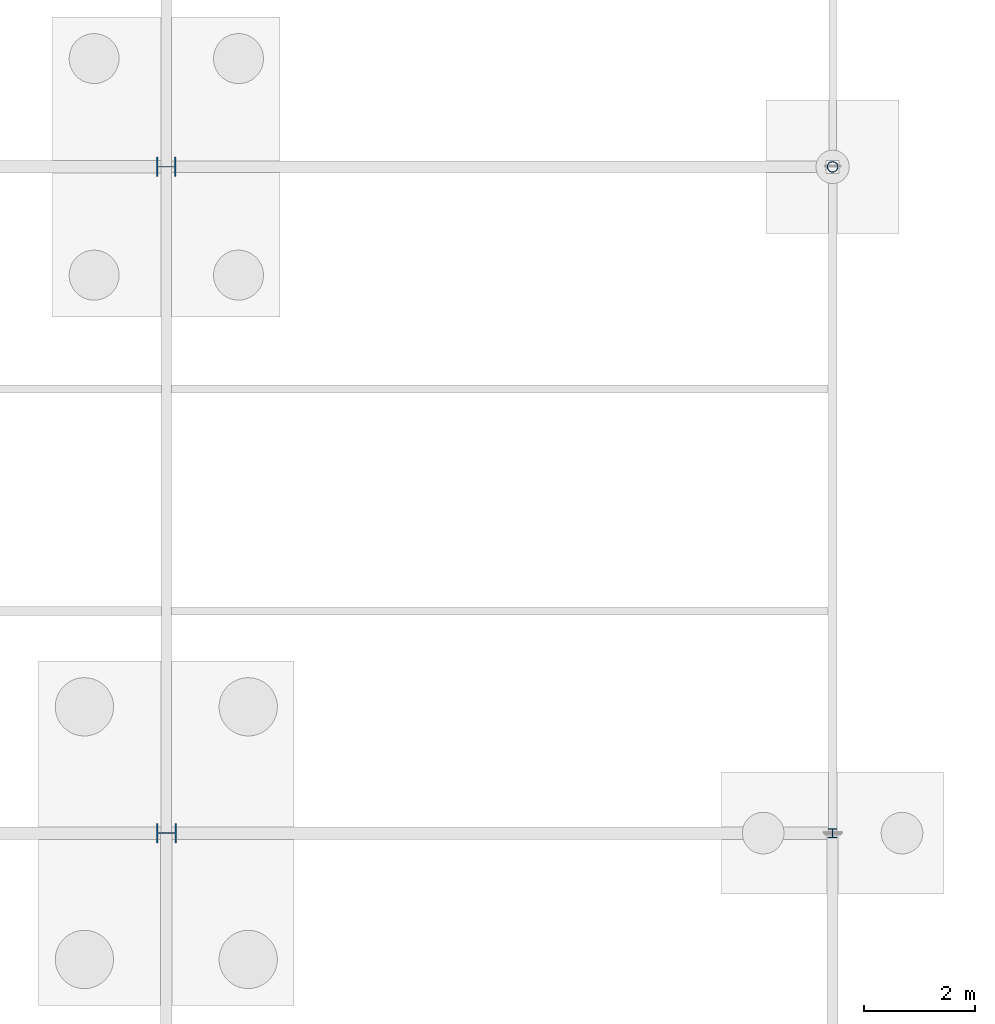
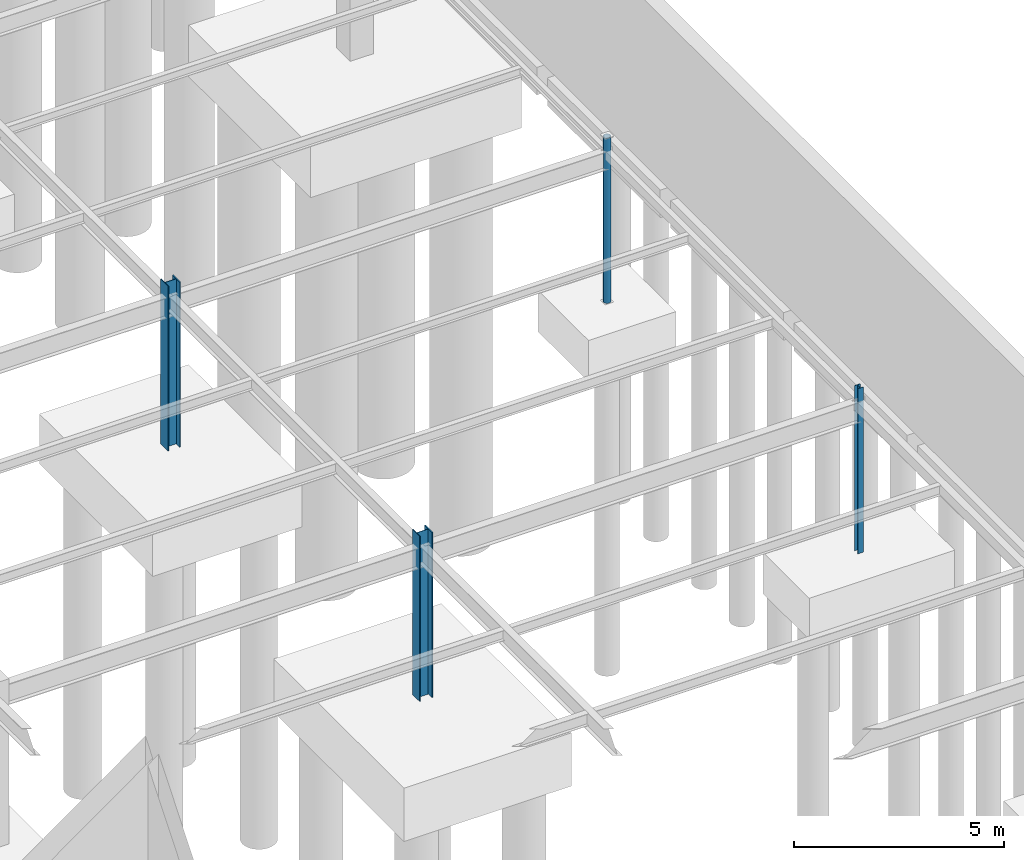
# One storey, part 55 of 136: 4 columns.
"""IFC4 building model written with IfcOpenShell, lengths in metres."""

from ifc_helpers import new_model, si_unit, direction, frame, origin, origin_2d, place, context, subcontext, project, spatial, hollow_circle, i_section, extrude, material, material_profile, profile_set, type_object, element, save


model = new_model("IFC4")

# Units and contexts
model_context = context("Model", 3, precision=1e-05, world=origin(), true_north=direction((0.0, 1.0)))
body_context = subcontext(model_context, "Body", "Model", "MODEL_VIEW")
ifc_project = project(units=[si_unit("LENGTHUNIT", "METRE"), si_unit("AREAUNIT", "SQUARE_METRE"), si_unit("VOLUMEUNIT", "CUBIC_METRE"), si_unit("PLANEANGLEUNIT", "RADIAN"), si_unit("MASSUNIT", "GRAM", prefix="KILO")], contexts=[model_context])

# Site, building, storey
site_placement = place(None, origin())
site = spatial("IfcSite", under=ifc_project, at=site_placement, CompositionType="ELEMENT")
building_placement = place(site_placement, origin())
building = spatial("IfcBuilding", under=site, at=building_placement, Name="Tarnwether General Hospital", CompositionType="ELEMENT")
storey_placement = place(building_placement, frame((0.0, 0.0, -4.800048828125)))
storey = spatial("IfcBuildingStorey", under=building, at=storey_placement, Name="LG", CompositionType="ELEMENT", Elevation=-4.800048828125)

# Columns
ifc_material_1 = material(Name="Steel Grade 350 (350 MPa)", Category="steel")
ifc_material_profile_1 = material_profile(ifc_material_1, i_section(OverallWidth=0.35009765625, OverallDepth=0.360107421875, WebThickness=0.01611328125, FlangeThickness=0.028076171875, at=origin_2d()), Name="350WC230")
ifc_profile_set_1 = profile_set([ifc_material_profile_1], Name="Steel Grade 350 (350 MPa)")
column_type_1 = type_object("IfcColumnType", Name="COL-03", PredefinedType="COLUMN", material=ifc_profile_set_1)
column_1_placement = place(storey_placement, frame((180.0, 33.60009765625, 0.0), z_axis=(0.0, 0.0, 1.0), x_axis=(0.0, 1.0, 0.0)))
element("IfcColumn", 1, at=column_1_placement, inside=storey, type_object=column_type_1, Name="Column COLG-LG-18000_3360", PredefinedType="COLUMN", context=body_context, shape_type="SweptSolid", body=[
    extrude(i_section(OverallWidth=0.35009765625, OverallDepth=0.360107421875, WebThickness=0.01611328125, FlangeThickness=0.028076171875, at=origin_2d()), origin(), (0.0, 0.0, 1.0), 4.800048828125),
])
ifc_material_2 = material(Name="Steel Grade 350 (350 MPa)", Category="steel")
ifc_material_profile_2 = material_profile(ifc_material_2, i_section(OverallWidth=0.35009765625, OverallDepth=0.35009765625, WebThickness=0.013916015625, FlangeThickness=0.02392578125, at=origin_2d()), Name="350WC197")
ifc_profile_set_2 = profile_set([ifc_material_profile_2], Name="Steel Grade 350 (350 MPa)")
column_type_2 = type_object("IfcColumnType", Name="COL-04", PredefinedType="COLUMN", material=ifc_profile_set_2)
column_2_placement = place(storey_placement, frame((180.0, 45.60009765625, 0.0), z_axis=(0.0, 0.0, 1.0), x_axis=(0.0, 1.0, 0.0)))
element("IfcColumn", 2, at=column_2_placement, inside=storey, type_object=column_type_2, Name="Column COLG-LG-18000_4560", PredefinedType="COLUMN", context=body_context, shape_type="SweptSolid", body=[
    extrude(i_section(OverallWidth=0.35009765625, OverallDepth=0.35009765625, WebThickness=0.013916015625, FlangeThickness=0.02392578125, at=origin_2d()), origin(), (0.0, 0.0, 1.0), 4.800048828125),
])
ifc_material_3 = material(Name="Steel Grade 350 (350 MPa)", Category="steel")
ifc_material_profile_3 = material_profile(ifc_material_3, i_section(OverallWidth=0.154052734375, OverallDepth=0.162109375, WebThickness=0.008056640625, FlangeThickness=0.011474609375, at=origin_2d()), Name="150UC37.2")
ifc_profile_set_3 = profile_set([ifc_material_profile_3], Name="Steel Grade 350 (350 MPa)")
column_type_3 = type_object("IfcColumnType", Name="COL-28", PredefinedType="COLUMN", material=ifc_profile_set_3)
column_3_placement = place(storey_placement, frame((192.0, 33.60009765625, 0.0), z_axis=(0.0, 0.0, 1.0), x_axis=(1.0, 0.0, 0.0)))
element("IfcColumn", 3, at=column_3_placement, inside=storey, type_object=column_type_3, Name="Column COLG-LG-19200_3360", PredefinedType="COLUMN", context=body_context, shape_type="SweptSolid", body=[
    extrude(i_section(OverallWidth=0.154052734375, OverallDepth=0.162109375, WebThickness=0.008056640625, FlangeThickness=0.011474609375, at=origin_2d()), origin(), (0.0, 0.0, 1.0), 4.800048828125),
])
ifc_material_4 = material(Name="Steel Grade C350L0 (350 MPa)", Category="steel")
ifc_material_profile_4 = material_profile(ifc_material_4, hollow_circle(Radius=0.096923828125, WallThickness=0.008056640625, at=origin_2d()), Name="CHS193.7x8.0")
ifc_profile_set_4 = profile_set([ifc_material_profile_4], Name="Steel Grade C350L0 (350 MPa)")
column_type_4 = type_object("IfcColumnType", Name="COL-29", PredefinedType="COLUMN", material=ifc_profile_set_4)
column_4_placement = place(storey_placement, frame((192.0, 45.60009765625, 0.0), z_axis=(0.0, 0.0, 1.0), x_axis=(1.0, 0.0, 0.0)))
element("IfcColumn", 4, at=column_4_placement, inside=storey, type_object=column_type_4, Name="Column COLG-LG-19200_4560", PredefinedType="COLUMN", context=body_context, shape_type="SweptSolid", body=[
    extrude(hollow_circle(Radius=0.096923828125, WallThickness=0.008056640625, at=origin_2d()), origin(), (0.0, 0.0, 1.0), 4.800048828125),
])

save(model, "model.ifc")
